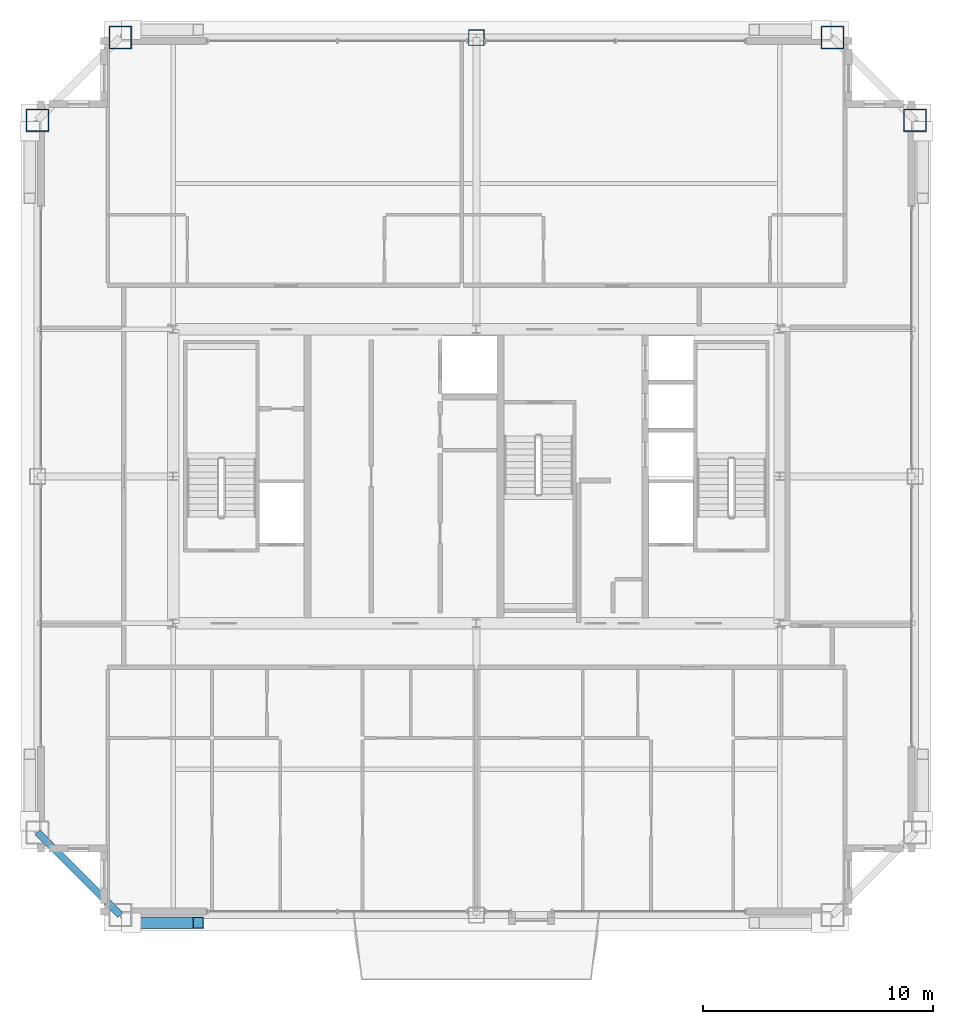
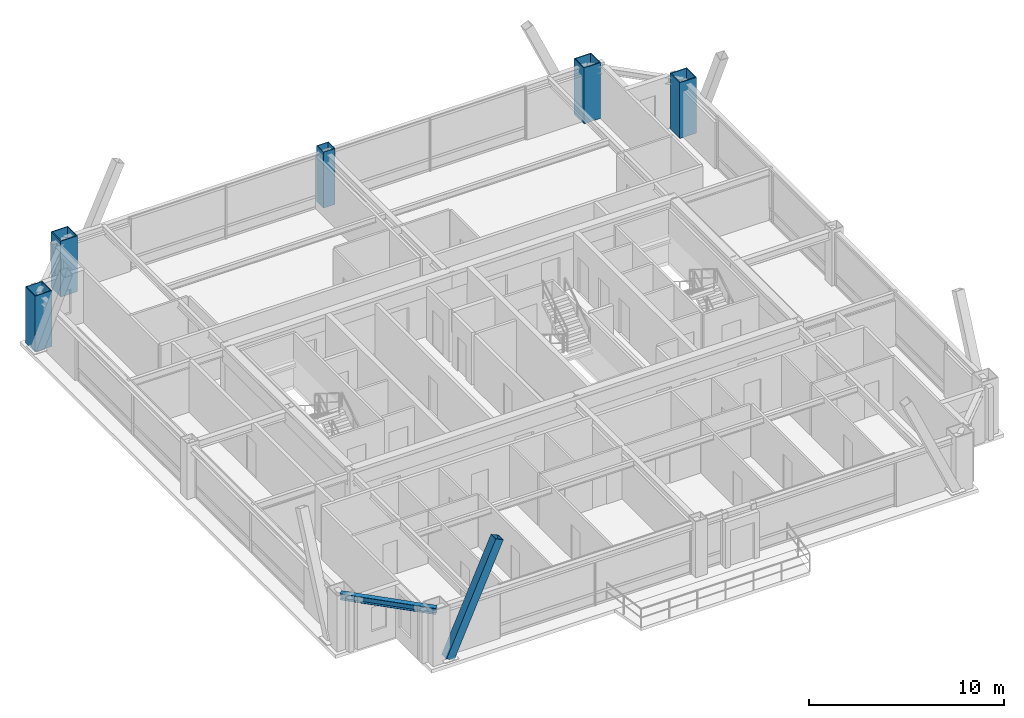
# One storey, part 3 of 34: 5 columns, 1 beam, 1 member.
"""IFC4 building model written with IfcOpenShell, lengths in metres."""

from ifc_helpers import new_model, si_unit, direction, frame, origin, origin_2d, place, context, subcontext, project, spatial, hollow_rectangle, i_section, extrude, source, transform, mapped, material, material_profile, profile_set, type_object, element, save


model = new_model("IFC4")

# Units and contexts
model_context = context("Model", 3, precision=1e-05, world=origin(), true_north=direction((0.0, 1.0)))
body_context = subcontext(model_context, "Body", "Model", "MODEL_VIEW")
ifc_project = project(units=[si_unit("LENGTHUNIT", "METRE"), si_unit("AREAUNIT", "SQUARE_METRE"), si_unit("VOLUMEUNIT", "CUBIC_METRE"), si_unit("PLANEANGLEUNIT", "RADIAN"), si_unit("MASSUNIT", "GRAM", prefix="KILO"), si_unit("THERMODYNAMICTEMPERATUREUNIT", "KELVIN"), si_unit("POWERUNIT", "WATT")], contexts=[model_context])

# Site, building, storey
site_placement = place(None, origin())
site = spatial("IfcSite", under=ifc_project, at=site_placement, CompositionType="ELEMENT")
building_placement = place(site_placement, origin())
building = spatial("IfcBuilding", under=site, at=building_placement, Name="Yuzanri Waterfront Tower", CompositionType="ELEMENT")
storey_placement = place(building_placement, frame((0.0, 0.0, 328.699951171875)))
storey = spatial("IfcBuildingStorey", under=building, at=storey_placement, Name="L88", CompositionType="ELEMENT", Elevation=328.699951171875)

# Columns
ifc_material_1 = material(Name="Steel Q355B", Category="steel")
ifc_material_profile_1 = material_profile(ifc_material_1, hollow_rectangle(XDim=0.699951171875, YDim=0.699951171875, WallThickness=0.031982421875, at=origin_2d()), Name="RHS 700x700x32")
ifc_profile_set_1 = profile_set([ifc_material_profile_1], Name="Steel Q355B")
column_type_1 = type_object("IfcColumnType", Name="Frame Column Q355B RHS 700x700x32", PredefinedType="COLUMN", material=ifc_profile_set_1)
shared_shape_1 = source(origin(), body_context, "Body", "SweptSolid", [
    extrude(hollow_rectangle(XDim=0.699951171875, YDim=0.699951171875, WallThickness=0.031982421875, at=origin_2d()), origin(), (0.0, 0.0, 1.0), 3.5),
])
column_placement = place(storey_placement, frame((37.0, 44.89990234375, 0.0), z_axis=(0.0, 0.0, 1.0), x_axis=(1.0, 0.0, 0.0)))
element("IfcColumn", 1, at=column_placement, inside=storey, type_object=column_type_1, Name="L88 Perimeter Frame Column N2", PredefinedType="COLUMN", context=body_context, shape_type="MappedRepresentation", body=[
    mapped(shared_shape_1, transform((0.0, 0.0, 0.0), scale=1.0)),
])
ifc_material_2 = material(Name="Steel Q390GJC", Category="steel")
ifc_material_profile_2 = material_profile(ifc_material_2, hollow_rectangle(XDim=1.0, YDim=1.0, WallThickness=0.048095703125, at=origin_2d()), Name="RHS 1000x1000x48")
ifc_profile_set_2 = profile_set([ifc_material_profile_2], Name="Steel Q390GJC")
column_type_2 = type_object("IfcColumnType", Name="Mega Column Q390GJC RHS 1000x1000x48", PredefinedType="COLUMN", material=ifc_profile_set_2)
shared_shape_2 = source(origin(), body_context, "Body", "SweptSolid", [
    extrude(hollow_rectangle(XDim=1.0, YDim=1.0, WallThickness=0.048095703125, at=origin_2d()), origin(), (0.0, 0.0, 1.0), 3.5),
])
for number, where, z_axis, x_axis, name in (
    (2, (21.5, 44.89990234375, 0.0), (0.0, 0.0, 1.0), (1.0, 0.0, 0.0), "L88 Perimeter Mega Column N1"),
    (3, (52.5, 44.89990234375, 0.0), (0.0, 0.0, 1.0), (1.0, 0.0, 0.0), "L88 Perimeter Mega Column N3"),
    (4, (17.89990234375, 41.300048828125, 0.0), (0.0, 0.0, 1.0), (1.0, 0.0, 0.0), "L88 Perimeter Mega Column W3"),
    (5, (56.10009765625, 41.300048828125, 0.0), (0.0, 0.0, 1.0), (1.0, 0.0, 0.0), "L88 Perimeter Mega Column E3"),
):
    element("IfcColumn", number, at=place(storey_placement, frame(where, z_axis=z_axis, x_axis=x_axis)), inside=storey, type_object=column_type_2, Name=name, PredefinedType="COLUMN", context=body_context, shape_type="MappedRepresentation", body=[
        mapped(shared_shape_2, transform((0.0, 0.0, 0.0), scale=1.0)),
    ])

# Beam
ifc_material_3 = material(Name="Steel Q355B", Category="steel")
ifc_material_profile_3 = material_profile(ifc_material_3, i_section(OverallWidth=0.300048828125, OverallDepth=0.389892578125, WebThickness=0.010009765625, FlangeThickness=0.01611328125, at=origin_2d()), Name="HM 390x300x10x16")
ifc_profile_set_3 = profile_set([ifc_material_profile_3], Name="Steel Q355B")
beam_type = type_object("IfcBeamType", Name="Perimeter Spandrel Q355B HM 390x300", PredefinedType="SPANDREL", material=ifc_profile_set_3)
shared_shape_3 = source(origin(), body_context, "Body", "SweptSolid", [
    extrude(i_section(OverallWidth=0.300048828125, OverallDepth=0.389892578125, WebThickness=0.010009765625, FlangeThickness=0.01611328125, at=origin_2d()), origin(), (0.0, 0.0, 1.0), 5.09130859375),
])
beam_placement = place(storey_placement, frame((17.89990234375, 10.300048828125, 3.0849609375), z_axis=(0.707106781187, -0.707106781187, 0.0), x_axis=(0.707106781187, 0.707106781187, 0.0)))
element("IfcBeam", 6, at=beam_placement, inside=storey, type_object=beam_type, Name="L88 Perimeter Spandrel W1-S1", PredefinedType="SPANDREL", context=body_context, shape_type="MappedRepresentation", body=[
    mapped(shared_shape_3, transform((0.0, 0.0, 0.0), scale=1.0)),
])

# Member
ifc_material_4 = material(Name="Steel Q390GJC", Category="steel")
ifc_material_profile_4 = material_profile(ifc_material_4, hollow_rectangle(XDim=0.5, YDim=0.5, WallThickness=0.02197265625, at=origin_2d()), Name="RHS 500x500x22")
ifc_profile_set_4 = profile_set([ifc_material_profile_4], Name="Steel Q390GJC")
member_type = type_object("IfcMemberType", Name="Mega Brace Upper Q390GJC RHS 500x500x22", PredefinedType="BRACE", material=ifc_profile_set_4)
shared_shape_4 = source(origin(), body_context, "Body", "SweptSolid", [
    extrude(hollow_rectangle(XDim=0.5, YDim=0.5, WallThickness=0.02197265625, at=origin_2d()), origin(), (0.0, 0.0, 1.0), 7.125732421875),
])
member_placement = place(storey_placement, frame((21.97998046875, 6.360107421875, 0.179931640625), z_axis=(0.409771952938, 0.0, 0.912187999584), x_axis=(0.0, 1.0, 0.0)))
element("IfcMember", 7, at=member_placement, inside=storey, type_object=member_type, Name="L88-L89 Perimeter Mega-Brace S-L", PredefinedType="BRACE", context=body_context, shape_type="MappedRepresentation", body=[
    mapped(shared_shape_4, transform((0.0, 0.0, 0.0), scale=1.0)),
])

save(model, "model.ifc")
